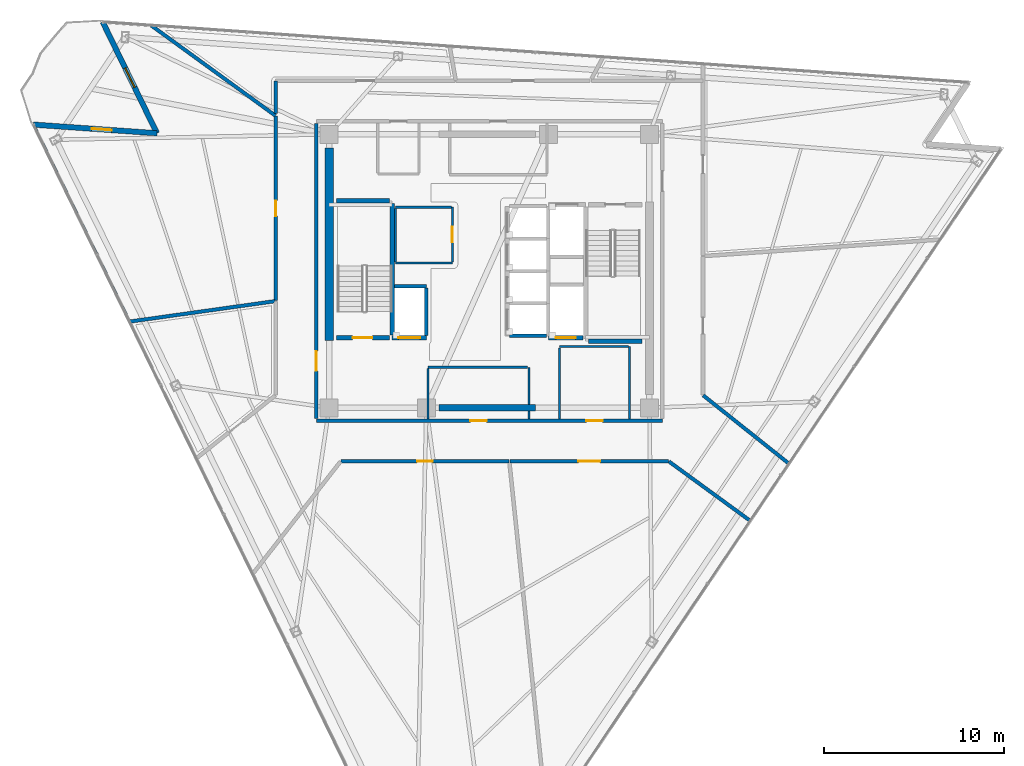
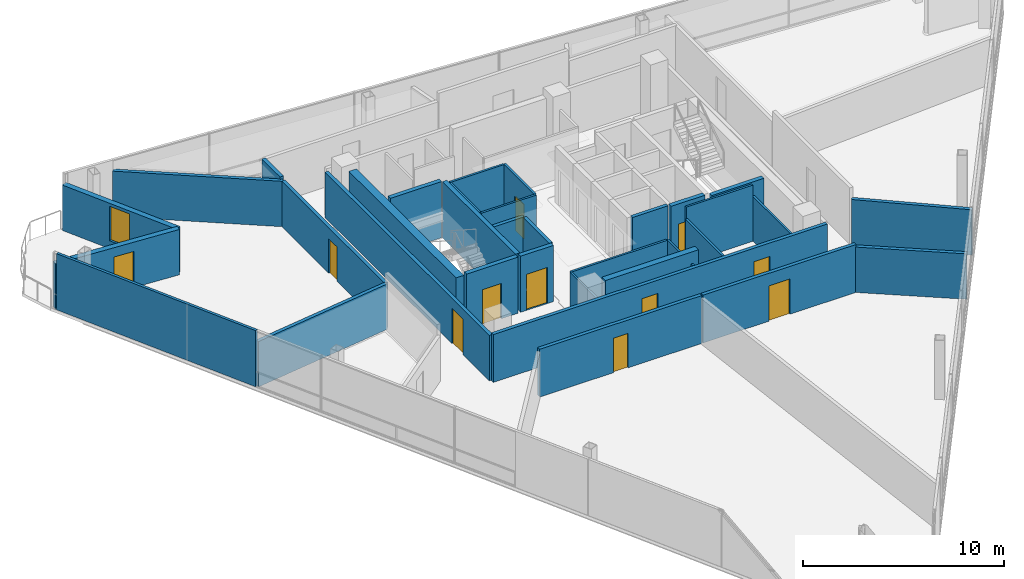
# One storey, part 9 of 14: 35 walls, 11 doors, 1 window, 12 openings.
"""IFC4 building model written with IfcOpenShell, lengths in metres."""

from ifc_helpers import new_model, si_unit, direction, frame, frame_2d, origin, place, context, subcontext, project, spatial, rectangle, extrude, material, layer, layer_set, type_object, element, fill, save


model = new_model("IFC4")

# Units and contexts
model_context = context("Model", 3, precision=1e-05, world=origin(), true_north=direction((0.0, 1.0)))
body_context = subcontext(model_context, "Body", "Model", "MODEL_VIEW")
ifc_project = project(units=[si_unit("LENGTHUNIT", "METRE"), si_unit("AREAUNIT", "SQUARE_METRE"), si_unit("VOLUMEUNIT", "CUBIC_METRE"), si_unit("PLANEANGLEUNIT", "RADIAN"), si_unit("MASSUNIT", "GRAM", prefix="KILO")], contexts=[model_context])

# Site, building, storey
site_placement = place(None, origin())
site = spatial("IfcSite", under=ifc_project, at=site_placement, CompositionType="ELEMENT")
building_placement = place(site_placement, origin())
building = spatial("IfcBuilding", under=site, at=building_placement, Name="Tharavind Bronze Gate", CompositionType="ELEMENT")
storey_placement = place(building_placement, frame((0.0, 0.0, 245.050048828125)))
storey = spatial("IfcBuildingStorey", under=building, at=storey_placement, Name="L63", CompositionType="ELEMENT", Elevation=245.050048828125)

# Wall, opening, window
ifc_material_1 = material(Name="Concrete C40/50", Category="concrete")
ifc_layer_1 = layer(ifc_material_1, 0.300048828125)
ifc_layer_set_1 = layer_set([ifc_layer_1], Name="Concrete C40/50")
wall_type_1 = type_object("IfcWallType", Name="EXTERIOR SPANDREL WALL 300", PredefinedType="STANDARD", material=ifc_layer_set_1)
wall_1_placement = place(storey_placement, frame((-21.489990234375, 13.844482421875, 0.0), z_axis=(0.0, 0.0, 1.0), x_axis=(0.438391471143, -0.898784133165, 0.0)))
wall_1 = element("IfcWall", 1, at=wall_1_placement, inside=storey, type_object=wall_type_1, Name="L63 notch cheek wall 1A", PredefinedType="STANDARD", context=body_context, shape_type="SweptSolid", body=[
    extrude(rectangle(XDim=6.8798828125, YDim=0.300048828125, at=frame_2d((3.43994140625, 0.0))), origin(), (0.0, 0.0, 1.0), 2.764892578125),
])
opening_1_placement = place(wall_1_placement, frame((2.840087890625, 0.0, 0.485107421875)))
opening_1 = element("IfcOpeningElement", 2, at=opening_1_placement, cuts=wall_1, Name="Opening W01", PredefinedType="OPENING", context=body_context, shape_type="SweptSolid", body=[
    extrude(rectangle(XDim=1.199951171875, YDim=2.10009765625, at=frame_2d((0.60009765625, 1.050048828125))), frame((0.0, 0.15990234375, 0.0), z_axis=(0.0, -1.0, 0.0), x_axis=(1.0, 0.0, 0.0)), (0.0, 0.0, 1.0), 0.320048828125),
])
ifc_material_2 = material(Name="Bronze Aluminium & Low-E Glass", Category="aluminium")
window_type = type_object("IfcWindowType", Name="FIXED BRONZE CASEMENT WINDOW 1200X2100", PartitioningType="SINGLE_PANEL", PredefinedType="WINDOW", material=ifc_material_2)
window_placement = place(opening_1_placement, origin())
window = element("IfcWindow", 3, at=window_placement, inside=storey, type_object=window_type, Name="L63 exterior window WL-L63-NCB1-01", OverallHeight=2.10009765625, OverallWidth=1.199951171875, PartitioningType="SINGLE_PANEL", PredefinedType="WINDOW", context=body_context, shape_type="SweptSolid", body=[
    extrude(rectangle(XDim=1.199951171875, YDim=2.10009765625, at=frame_2d((0.60009765625, 1.050048828125))), frame((0.0, 0.030029296875, 0.0), z_axis=(0.0, -1.0, 0.0), x_axis=(1.0, 0.0, 0.0)), (0.0, 0.0, 1.0), 0.06005859375),
])
fill(opening_1, window)

# Wall, opening, door
wall_2_placement = place(storey_placement, frame((-18.473876953125, 7.660888671875, 0.0), z_axis=(0.0, 0.0, 1.0), x_axis=(-0.997565982203, 0.069728840176, 0.0)))
wall_2 = element("IfcWall", 4, at=wall_2_placement, inside=storey, type_object=wall_type_1, Name="L63 notch cheek wall 1B", PredefinedType="STANDARD", context=body_context, shape_type="SweptSolid", body=[
    extrude(rectangle(XDim=6.880126953125, YDim=0.300048828125, at=frame_2d((3.43994140625, 0.0))), origin(), (0.0, 0.0, 1.0), 2.764892578125),
])
opening_2_placement = place(wall_2_placement, frame((2.531982421875, 0.0, 0.0)))
opening_2 = element("IfcOpeningElement", 5, at=opening_2_placement, cuts=wall_2, Name="Opening ED04", PredefinedType="OPENING", context=body_context, shape_type="SweptSolid", body=[
    extrude(rectangle(XDim=1.10009765625, YDim=2.199951171875, at=frame_2d((0.550048828125, 1.10009765625))), frame((0.0, 0.15990234375, 0.0), z_axis=(0.0, -1.0, 0.0), x_axis=(1.0, 0.0, 0.0)), (0.0, 0.0, 1.0), 0.320048828125),
])
ifc_material_3 = material(Name="Bronze Aluminium & Toughened Glass", Category="aluminium")
door_type_1 = type_object("IfcDoorType", Name="TREE BALCONY ACCESS DOOR 1100X2200", OperationType="SINGLE_SWING_LEFT", PredefinedType="DOOR", material=ifc_material_3)
door_1_placement = place(opening_2_placement, frame((1.10009765625, 0.0, 0.0), z_axis=(0.0, 0.0, 1.0), x_axis=(-1.0, 0.0, 0.0)))
door_1 = element("IfcDoor", 6, at=door_1_placement, inside=storey, type_object=door_type_1, Name="L63 tree balcony access door", OperationType="SINGLE_SWING_LEFT", OverallHeight=2.199951171875, OverallWidth=1.10009765625, PredefinedType="DOOR", context=body_context, shape_type="SweptSolid", body=[
    extrude(rectangle(XDim=1.10009765625, YDim=2.199951171875, at=frame_2d((0.550048828125, 1.10009765625))), frame((0.0, 0.02490234375, 0.0), z_axis=(0.0, -1.0, 0.0), x_axis=(1.0, 0.0, 0.0)), (0.0, 0.0, 1.0), 0.050048828125),
])
fill(opening_2, door_1)

# Wall, openings, doors
ifc_material_4 = material(Name="Aerated Concrete Block", Category="concrete")
ifc_layer_2 = layer(ifc_material_4, 0.199951171875)
ifc_layer_set_2 = layer_set([ifc_layer_2], Name="Aerated Concrete Block")
wall_type_2 = type_object("IfcWallType", Name="FIRE RATED PARTITION 200", PredefinedType="PARTITIONING", material=ifc_layer_set_2)
wall_3_placement = place(storey_placement, frame((-9.6201171875, -8.320068359375, 0.0), z_axis=(0.0, 0.0, 1.0), x_axis=(1.0, 0.0, 0.0)))
wall_3 = element("IfcWall", 7, at=wall_3_placement, inside=storey, type_object=wall_type_2, Name="L63 south core corridor wall", PredefinedType="PARTITIONING", context=body_context, shape_type="SweptSolid", body=[
    extrude(rectangle(XDim=19.240234375, YDim=0.199951171875, at=frame_2d((9.6201171875, 0.0))), origin(), (0.0, 0.0, 1.0), 2.9150390625),
])
opening_3_placement = place(wall_3_placement, frame((8.570068359375, 0.0, 0.0)))
opening_3 = element("IfcOpeningElement", 8, at=opening_3_placement, cuts=wall_3, Name="Opening ID07", PredefinedType="OPENING", context=body_context, shape_type="SweptSolid", body=[
    extrude(rectangle(XDim=0.89990234375, YDim=2.10009765625, at=frame_2d((0.449951171875, 1.050048828125))), frame((0.0, 0.11009765625, 0.0), z_axis=(0.0, -1.0, 0.0), x_axis=(1.0, 0.0, 0.0)), (0.0, 0.0, 1.0), 0.219951171875),
])
opening_4_placement = place(wall_3_placement, frame((15.02001953125, 0.0, 0.0)))
opening_4 = element("IfcOpeningElement", 9, at=opening_4_placement, cuts=wall_3, Name="Opening ID07", PredefinedType="OPENING", context=body_context, shape_type="SweptSolid", body=[
    extrude(rectangle(XDim=0.89990234375, YDim=2.10009765625, at=frame_2d((0.449951171875, 1.050048828125))), frame((0.0, 0.11009765625, 0.0), z_axis=(0.0, -1.0, 0.0), x_axis=(1.0, 0.0, 0.0)), (0.0, 0.0, 1.0), 0.219951171875),
])
ifc_material_5 = material(Name="Galvanised Fire Steel", Category="steel")
door_type_2 = type_object("IfcDoorType", Name="PLANT AND RISER FIRE DOOR 900X2100", OperationType="SINGLE_SWING_LEFT", PredefinedType="DOOR", material=ifc_material_5)
door_2_placement = place(opening_3_placement, origin())
door_2 = element("IfcDoor", 10, at=door_2_placement, inside=storey, type_object=door_type_2, Name="L63 Core BMS Control Room fire door", OperationType="SINGLE_SWING_LEFT", OverallHeight=2.10009765625, OverallWidth=0.89990234375, PredefinedType="DOOR", context=body_context, shape_type="SweptSolid", body=[
    extrude(rectangle(XDim=0.89990234375, YDim=2.10009765625, at=frame_2d((0.449951171875, 1.050048828125))), frame((0.0, 0.02490234375, 0.0), z_axis=(0.0, -1.0, 0.0), x_axis=(1.0, 0.0, 0.0)), (0.0, 0.0, 1.0), 0.050048828125),
])
fill(opening_3, door_2)
door_3_placement = place(opening_4_placement, origin())
door_3 = element("IfcDoor", 11, at=door_3_placement, inside=storey, type_object=door_type_2, Name="L63 Telecom Metering Room fire door", OperationType="SINGLE_SWING_LEFT", OverallHeight=2.10009765625, OverallWidth=0.89990234375, PredefinedType="DOOR", context=body_context, shape_type="SweptSolid", body=[
    extrude(rectangle(XDim=0.89990234375, YDim=2.10009765625, at=frame_2d((0.449951171875, 1.050048828125))), frame((0.0, 0.02490234375, 0.0), z_axis=(0.0, -1.0, 0.0), x_axis=(1.0, 0.0, 0.0)), (0.0, 0.0, 1.0), 0.050048828125),
])
fill(opening_4, door_3)

# Wall, opening, door
wall_4_placement = place(storey_placement, frame((-9.6201171875, 8.199951171875, 0.0), z_axis=(0.0, 0.0, 1.0), x_axis=(0.0, -1.0, 0.0)))
wall_4 = element("IfcWall", 12, at=wall_4_placement, inside=storey, type_object=wall_type_2, Name="L63 west core corridor wall", PredefinedType="PARTITIONING", context=body_context, shape_type="SweptSolid", body=[
    extrude(rectangle(XDim=16.39990234375, YDim=0.199951171875, at=frame_2d((8.199951171875, 0.0))), origin(), (0.0, 0.0, 1.0), 2.764892578125),
])
opening_5_placement = place(wall_4_placement, frame((12.64990234375, 0.0, 0.0)))
opening_5 = element("IfcOpeningElement", 13, at=opening_5_placement, cuts=wall_4, Name="Opening ID01", PredefinedType="OPENING", context=body_context, shape_type="SweptSolid", body=[
    extrude(rectangle(XDim=1.10009765625, YDim=2.14990234375, at=frame_2d((0.550048828125, 1.074951171875))), frame((0.0, 0.11009765625, 0.0), z_axis=(0.0, -1.0, 0.0), x_axis=(1.0, 0.0, 0.0)), (0.0, 0.0, 1.0), 0.219951171875),
])
ifc_material_6 = material(Name="Fire-Rated Steel", Category="steel")
door_type_3 = type_object("IfcDoorType", Name="STAIR CORE FIRE DOOR 1100X2150", OperationType="SINGLE_SWING_LEFT", PredefinedType="DOOR", material=ifc_material_6)
door_4_placement = place(opening_5_placement, frame((1.10009765625, 0.0, 0.0), z_axis=(0.0, 0.0, 1.0), x_axis=(-1.0, 0.0, 0.0)))
door_4 = element("IfcDoor", 14, at=door_4_placement, inside=storey, type_object=door_type_3, Name="L63 south west stair lobby fire door", OperationType="SINGLE_SWING_LEFT", OverallHeight=2.14990234375, OverallWidth=1.10009765625, PredefinedType="DOOR", context=body_context, shape_type="SweptSolid", body=[
    extrude(rectangle(XDim=1.10009765625, YDim=2.14990234375, at=frame_2d((0.550048828125, 1.074951171875))), frame((0.0, 0.02490234375, 0.0), z_axis=(0.0, -1.0, 0.0), x_axis=(1.0, 0.0, 0.0)), (0.0, 0.0, 1.0), 0.050048828125),
])
fill(opening_5, door_4)

# Wall
wall_5_placement = place(storey_placement, frame((-18.790283203125, 13.65185546875, 0.0), z_axis=(0.0, 0.0, 1.0), x_axis=(0.809024412074, -0.58777504257, 0.0)))
element("IfcWall", 15, at=wall_5_placement, inside=storey, type_object=wall_type_2, Name="L63 Public Restrooms Block partition", PredefinedType="PARTITIONING", context=body_context, shape_type="SweptSolid", body=[
    extrude(rectangle(XDim=8.528564453125, YDim=0.199951171875, at=frame_2d((4.26416015625, 0.0))), origin(), (0.0, 0.0, 1.0), 2.764892578125),
])

# Wall, opening, door
wall_6_placement = place(storey_placement, frame((-11.8798828125, 8.61865234375, 0.0), z_axis=(0.0, 0.0, 1.0), x_axis=(0.0, -1.0, 0.0)))
wall_6 = element("IfcWall", 16, at=wall_6_placement, inside=storey, type_object=wall_type_2, Name="L63 Public Restrooms Block partition", PredefinedType="PARTITIONING", context=body_context, shape_type="SweptSolid", body=[
    extrude(rectangle(XDim=10.2666015625, YDim=0.199951171875, at=frame_2d((5.13330078125, 0.0))), origin(), (0.0, 0.0, 1.0), 2.764892578125),
])
opening_6_placement = place(wall_6_placement, frame((4.7080078125, 0.0, 0.0)))
opening_6 = element("IfcOpeningElement", 17, at=opening_6_placement, cuts=wall_6, Name="Opening ID06", PredefinedType="OPENING", context=body_context, shape_type="SweptSolid", body=[
    extrude(rectangle(XDim=0.85009765625, YDim=2.10009765625, at=frame_2d((0.425048828125, 1.050048828125))), frame((0.0, 0.11009765625, 0.0), z_axis=(0.0, -1.0, 0.0), x_axis=(1.0, 0.0, 0.0)), (0.0, 0.0, 1.0), 0.219951171875),
])
ifc_material_7 = material(Name="Moisture-Resistant Timber", Category="wood")
door_type_4 = type_object("IfcDoorType", Name="BATHROOM PRIVACY DOOR 850X2100", OperationType="SINGLE_SWING_RIGHT", PredefinedType="DOOR", material=ifc_material_7)
door_5_placement = place(opening_6_placement, origin())
door_5 = element("IfcDoor", 18, at=door_5_placement, inside=storey, type_object=door_type_4, Name="L63 Public Restrooms Block door", OperationType="SINGLE_SWING_RIGHT", OverallHeight=2.10009765625, OverallWidth=0.85009765625, PredefinedType="DOOR", context=body_context, shape_type="SweptSolid", body=[
    extrude(rectangle(XDim=0.85009765625, YDim=2.10009765625, at=frame_2d((0.425048828125, 1.050048828125))), frame((0.0, 0.02490234375, 0.0), z_axis=(0.0, -1.0, 0.0), x_axis=(1.0, 0.0, 0.0)), (0.0, 0.0, 1.0), 0.050048828125),
])
fill(opening_6, door_5)

# Wall
wall_7_placement = place(storey_placement, frame((-11.901611328125, -1.672607421875, 0.0), z_axis=(0.0, 0.0, 1.0), x_axis=(-0.990269023178, -0.139166309626, 0.0)))
element("IfcWall", 19, at=wall_7_placement, inside=storey, type_object=wall_type_2, Name="L63 Public Restrooms Block partition", PredefinedType="PARTITIONING", context=body_context, shape_type="SweptSolid", body=[
    extrude(rectangle(XDim=8.15576171875, YDim=0.199951171875, at=frame_2d((4.077880859375, 0.0))), origin(), (0.0, 0.0, 1.0), 2.764892578125),
])

# Wall, opening, door
wall_8_placement = place(storey_placement, frame((-8.25390625, -10.580078125, 0.0), z_axis=(0.0, 0.0, 1.0), x_axis=(1.0, 0.0, 0.0)))
wall_8 = element("IfcWall", 20, at=wall_8_placement, inside=storey, type_object=wall_type_2, Name="L63 Public Restrooms Block partition", PredefinedType="PARTITIONING", context=body_context, shape_type="SweptSolid", body=[
    extrude(rectangle(XDim=9.343505859375, YDim=0.199951171875, at=frame_2d((4.671875, 0.0))), origin(), (0.0, 0.0, 1.0), 2.9150390625),
])
opening_7_placement = place(wall_8_placement, frame((4.2470703125, 0.0, 0.0)))
opening_7 = element("IfcOpeningElement", 21, at=opening_7_placement, cuts=wall_8, Name="Opening ID06", PredefinedType="OPENING", context=body_context, shape_type="SweptSolid", body=[
    extrude(rectangle(XDim=0.85009765625, YDim=2.10009765625, at=frame_2d((0.425048828125, 1.050048828125))), frame((0.0, 0.11009765625, 0.0), z_axis=(0.0, -1.0, 0.0), x_axis=(1.0, 0.0, 0.0)), (0.0, 0.0, 1.0), 0.219951171875),
])
door_6_placement = place(opening_7_placement, origin())
door_6 = element("IfcDoor", 22, at=door_6_placement, inside=storey, type_object=door_type_4, Name="L63 Public Restrooms Block door", OperationType="SINGLE_SWING_RIGHT", OverallHeight=2.10009765625, OverallWidth=0.85009765625, PredefinedType="DOOR", context=body_context, shape_type="SweptSolid", body=[
    extrude(rectangle(XDim=0.85009765625, YDim=2.10009765625, at=frame_2d((0.425048828125, 1.050048828125))), frame((0.0, 0.02490234375, 0.0), z_axis=(0.0, -1.0, 0.0), x_axis=(1.0, 0.0, 0.0)), (0.0, 0.0, 1.0), 0.050048828125),
])
fill(opening_7, door_6)

# Wall
wall_9_placement = place(storey_placement, frame((-11.8798828125, 10.579345703125, 0.0), z_axis=(0.0, 0.0, 1.0), x_axis=(0.0, -1.0, 0.0)))
element("IfcWall", 23, at=wall_9_placement, inside=storey, type_object=wall_type_2, Name="L63 Macro Research Office partition", PredefinedType="PARTITIONING", context=body_context, shape_type="SweptSolid", body=[
    extrude(rectangle(XDim=1.818359375, YDim=0.199951171875, at=frame_2d((0.9091796875, 0.0))), origin(), (0.0, 0.0, 1.0), 2.9150390625),
])

# Wall, opening, door
wall_10_placement = place(storey_placement, frame((1.139892578125, -10.580078125, 0.0), z_axis=(0.0, 0.0, 1.0), x_axis=(1.0, 0.0, 0.0)))
wall_10 = element("IfcWall", 24, at=wall_10_placement, inside=storey, type_object=wall_type_2, Name="L63 Visitor Reception Lounge partition", PredefinedType="PARTITIONING", context=body_context, shape_type="SweptSolid", body=[
    extrude(rectangle(XDim=8.830078125, YDim=0.199951171875, at=frame_2d((4.4150390625, 0.0))), origin(), (0.0, 0.0, 1.0), 2.9150390625),
])
opening_8_placement = place(wall_10_placement, frame((3.81494140625, 0.0, 0.0)))
opening_8 = element("IfcOpeningElement", 25, at=opening_8_placement, cuts=wall_10, Name="Opening ID05", PredefinedType="OPENING", context=body_context, shape_type="SweptSolid", body=[
    extrude(rectangle(XDim=1.199951171875, YDim=2.14990234375, at=frame_2d((0.60009765625, 1.074951171875))), frame((0.0, 0.11009765625, 0.0), z_axis=(0.0, -1.0, 0.0), x_axis=(1.0, 0.0, 0.0)), (0.0, 0.0, 1.0), 0.219951171875),
])
ifc_material_8 = material(Name="Acoustic Laminated Glass", Category="glass")
door_type_5 = type_object("IfcDoorType", Name="MEETING ROOM GLAZED DOOR 1200X2150", OperationType="SINGLE_SWING_LEFT", PredefinedType="DOOR", material=ifc_material_8)
door_7_placement = place(opening_8_placement, origin())
door_7 = element("IfcDoor", 26, at=door_7_placement, inside=storey, type_object=door_type_5, Name="L63 Visitor Reception Lounge door", OperationType="SINGLE_SWING_LEFT", OverallHeight=2.14990234375, OverallWidth=1.199951171875, PredefinedType="DOOR", context=body_context, shape_type="SweptSolid", body=[
    extrude(rectangle(XDim=1.199951171875, YDim=2.14990234375, at=frame_2d((0.60009765625, 1.074951171875))), frame((0.0, 0.02490234375, 0.0), z_axis=(0.0, -1.0, 0.0), x_axis=(1.0, 0.0, 0.0)), (0.0, 0.0, 1.0), 0.050048828125),
])
fill(opening_8, door_7)

# Walls
wall_11_placement = place(storey_placement, frame((9.98486328125, -10.584716796875, 0.0), z_axis=(0.0, 0.0, 1.0), x_axis=(0.807826909807, -0.589419785714, 0.0)))
element("IfcWall", 27, at=wall_11_placement, inside=storey, type_object=wall_type_2, Name="L63 Visitor Reception Lounge partition", PredefinedType="PARTITIONING", context=body_context, shape_type="SweptSolid", body=[
    extrude(rectangle(XDim=5.59130859375, YDim=0.199951171875, at=frame_2d((2.795654296875, 0.0))), origin(), (0.0, 0.0, 1.0), 2.764892578125),
])
wall_12_placement = place(storey_placement, frame((16.647705078125, -10.698486328125, 0.0), z_axis=(0.0, 0.0, 1.0), x_axis=(-0.782393880824, 0.622783923402, 0.0)))
element("IfcWall", 28, at=wall_12_placement, inside=storey, type_object=wall_type_2, Name="L63 Tea Pantry partition", PredefinedType="PARTITIONING", context=body_context, shape_type="SweptSolid", body=[
    extrude(rectangle(XDim=6.081787109375, YDim=0.199951171875, at=frame_2d((3.041015625, 0.0))), origin(), (0.0, 0.0, 1.0), 2.764892578125),
])
ifc_material_9 = material(Name="Metal Stud Gypsum Partition", Category="gypsum")
ifc_layer_3 = layer(ifc_material_9, 0.1201171875)
ifc_layer_set_3 = layer_set([ifc_layer_3], Name="Metal Stud Gypsum Partition")
wall_type_3 = type_object("IfcWallType", Name="INTERIOR PARTITION WALL 120", PredefinedType="PARTITIONING", material=ifc_layer_set_3)
wall_13_placement = place(storey_placement, frame((-5.219970703125, 0.449951171875, 0.0), z_axis=(0.0, 0.0, 1.0), x_axis=(1.0, 0.0, 0.0)))
element("IfcWall", 29, at=wall_13_placement, inside=storey, type_object=wall_type_3, Name="L63 Electrical & Telecom Store partition 1", PredefinedType="PARTITIONING", context=body_context, shape_type="SweptSolid", body=[
    extrude(rectangle(XDim=3.169921875, YDim=0.1201171875, at=frame_2d((1.5849609375, 0.0))), origin(), (0.0, 0.0, 1.0), 3.419921875),
])

# Wall, opening, door
wall_14_placement = place(storey_placement, frame((-2.050048828125, 0.514892578125, 0.0), z_axis=(0.0, 0.0, 1.0), x_axis=(0.0, 1.0, 0.0)))
wall_14 = element("IfcWall", 30, at=wall_14_placement, inside=storey, type_object=wall_type_3, Name="L63 Electrical & Telecom Store partition 2", PredefinedType="PARTITIONING", context=body_context, shape_type="SweptSolid", body=[
    extrude(rectangle(XDim=3.03515625, YDim=0.1201171875, at=frame_2d((1.517578125, 0.0))), origin(), (0.0, 0.0, 1.0), 3.419921875),
])
opening_9_placement = place(wall_14_placement, frame((1.092041015625, 0.0, 0.0)))
opening_9 = element("IfcOpeningElement", 31, at=opening_9_placement, cuts=wall_14, Name="Opening ID06", PredefinedType="OPENING", context=body_context, shape_type="SweptSolid", body=[
    extrude(rectangle(XDim=0.85009765625, YDim=2.10009765625, at=frame_2d((0.425048828125, 1.050048828125))), frame((0.0, 0.07005859375, 0.0), z_axis=(0.0, -1.0, 0.0), x_axis=(1.0, 0.0, 0.0)), (0.0, 0.0, 1.0), 0.1401171875),
])
door_8_placement = place(opening_9_placement, frame((0.85009765625, 0.0, 0.0), z_axis=(0.0, 0.0, 1.0), x_axis=(-1.0, 0.0, 0.0)))
door_8 = element("IfcDoor", 32, at=door_8_placement, inside=storey, type_object=door_type_4, Name="L63 Electrical & Telecom Store door", OperationType="SINGLE_SWING_RIGHT", OverallHeight=2.10009765625, OverallWidth=0.85009765625, PredefinedType="DOOR", context=body_context, shape_type="SweptSolid", body=[
    extrude(rectangle(XDim=0.85009765625, YDim=2.10009765625, at=frame_2d((0.425048828125, 1.050048828125))), frame((0.0, 0.02490234375, 0.0), z_axis=(0.0, -1.0, 0.0), x_axis=(1.0, 0.0, 0.0)), (0.0, 0.0, 1.0), 0.050048828125),
])
fill(opening_9, door_8)

# Walls
wall_15_placement = place(storey_placement, frame((-2.114990234375, 3.550048828125, 0.0), z_axis=(0.0, 0.0, 1.0), x_axis=(-1.0, 0.0, 0.0)))
element("IfcWall", 33, at=wall_15_placement, inside=storey, type_object=wall_type_3, Name="L63 Electrical & Telecom Store partition 3", PredefinedType="PARTITIONING", context=body_context, shape_type="SweptSolid", body=[
    extrude(rectangle(XDim=3.10498046875, YDim=0.1201171875, at=frame_2d((1.552490234375, 0.0))), origin(), (0.0, 0.0, 1.0), 3.419921875),
])
wall_16_placement = place(storey_placement, frame((-5.219970703125, 3.485107421875, 0.0), z_axis=(0.0, 0.0, 1.0), x_axis=(0.0, -1.0, 0.0)))
element("IfcWall", 34, at=wall_16_placement, inside=storey, type_object=wall_type_3, Name="L63 Electrical & Telecom Store partition 4", PredefinedType="PARTITIONING", context=body_context, shape_type="SweptSolid", body=[
    extrude(rectangle(XDim=2.97021484375, YDim=0.1201171875, at=frame_2d((1.485107421875, 0.0))), origin(), (0.0, 0.0, 1.0), 3.419921875),
])
wall_17_placement = place(storey_placement, frame((2.199951171875, -8.215087890625, 0.0), z_axis=(0.0, 0.0, 1.0), x_axis=(0.0, 1.0, 0.0)))
element("IfcWall", 35, at=wall_17_placement, inside=storey, type_object=wall_type_3, Name="L63 Core BMS Control Room partition 2", PredefinedType="PARTITIONING", context=body_context, shape_type="SweptSolid", body=[
    extrude(rectangle(XDim=0.43505859375, YDim=0.1201171875, at=frame_2d((0.217529296875, 0.0))), origin(), (0.0, 0.0, 1.0), 2.71484375),
])
wall_18_placement = place(storey_placement, frame((2.199951171875, -7.419921875, 0.0), z_axis=(0.0, 0.0, 1.0), x_axis=(0.0, 1.0, 0.0)))
element("IfcWall", 36, at=wall_18_placement, inside=storey, type_object=wall_type_3, Name="L63 Core BMS Control Room partition 2", PredefinedType="PARTITIONING", context=body_context, shape_type="SweptSolid", body=[
    extrude(rectangle(XDim=2.06982421875, YDim=0.1201171875, at=frame_2d((1.034912109375, 0.0))), origin(), (0.0, 0.0, 1.0), 2.71484375),
])
wall_19_placement = place(storey_placement, frame((2.135009765625, -5.35009765625, 0.0), z_axis=(0.0, 0.0, 1.0), x_axis=(-1.0, 0.0, 0.0)))
element("IfcWall", 37, at=wall_19_placement, inside=storey, type_object=wall_type_3, Name="L63 Core BMS Control Room partition 3", PredefinedType="PARTITIONING", context=body_context, shape_type="SweptSolid", body=[
    extrude(rectangle(XDim=5.534912109375, YDim=0.1201171875, at=frame_2d((2.767578125, 0.0))), origin(), (0.0, 0.0, 1.0), 2.71484375),
])
wall_20_placement = place(storey_placement, frame((-3.39990234375, -5.4150390625, 0.0), z_axis=(0.0, 0.0, 1.0), x_axis=(0.0, -1.0, 0.0)))
element("IfcWall", 38, at=wall_20_placement, inside=storey, type_object=wall_type_3, Name="L63 Core BMS Control Room partition 4", PredefinedType="PARTITIONING", context=body_context, shape_type="SweptSolid", body=[
    extrude(rectangle(XDim=2.800048828125, YDim=0.1201171875, at=frame_2d((1.39990234375, 0.0))), origin(), (0.0, 0.0, 1.0), 2.71484375),
])
wall_21_placement = place(storey_placement, frame((7.800048828125, -8.215087890625, 0.0), z_axis=(0.0, 0.0, 1.0), x_axis=(0.0, 1.0, 0.0)))
element("IfcWall", 39, at=wall_21_placement, inside=storey, type_object=wall_type_3, Name="L63 Telecom Metering Room partition 2", PredefinedType="PARTITIONING", context=body_context, shape_type="SweptSolid", body=[
    extrude(rectangle(XDim=4.01513671875, YDim=0.1201171875, at=frame_2d((2.007568359375, 0.0))), origin(), (0.0, 0.0, 1.0), 2.71484375),
])
wall_22_placement = place(storey_placement, frame((7.735107421875, -4.199951171875, 0.0), z_axis=(0.0, 0.0, 1.0), x_axis=(-1.0, 0.0, 0.0)))
element("IfcWall", 40, at=wall_22_placement, inside=storey, type_object=wall_type_3, Name="L63 Telecom Metering Room partition 3", PredefinedType="PARTITIONING", context=body_context, shape_type="SweptSolid", body=[
    extrude(rectangle(XDim=3.835205078125, YDim=0.1201171875, at=frame_2d((1.91748046875, 0.0))), origin(), (0.0, 0.0, 1.0), 3.419921875),
])
wall_23_placement = place(storey_placement, frame((3.89990234375, -4.264892578125, 0.0), z_axis=(0.0, 0.0, 1.0), x_axis=(0.0, -1.0, 0.0)))
element("IfcWall", 41, at=wall_23_placement, inside=storey, type_object=wall_type_3, Name="L63 Telecom Metering Room partition 4", PredefinedType="PARTITIONING", context=body_context, shape_type="SweptSolid", body=[
    extrude(rectangle(XDim=3.9501953125, YDim=0.1201171875, at=frame_2d((1.97509765625, 0.0))), origin(), (0.0, 0.0, 1.0), 2.71484375),
])
ifc_material_10 = material(Name="Twin Stud Acoustic Gypsum", Category="gypsum")
ifc_layer_4 = layer(ifc_material_10, 0.14990234375)
ifc_layer_set_4 = layer_set([ifc_layer_4], Name="Twin Stud Acoustic Gypsum")
wall_type_4 = type_object("IfcWallType", Name="INTERIOR PARTITION WALL 150", PredefinedType="PARTITIONING", material=ifc_layer_set_4)
wall_24_placement = place(storey_placement, frame((-20.00390625, -2.7939453125, 0.0), z_axis=(0.0, 0.0, 1.0), x_axis=(-0.438368655721, 0.89879526127, 0.0)))
element("IfcWall", 42, at=wall_24_placement, inside=storey, type_object=wall_type_4, Name="L63 Public Restrooms Block partition", PredefinedType="PARTITIONING", context=body_context, shape_type="SweptSolid", body=[
    extrude(rectangle(XDim=11.98681640625, YDim=0.14990234375, at=frame_2d((5.993408203125, 0.0))), origin(), (0.0, 0.0, 1.0), 3.419921875),
])
ifc_material_11 = material(Name="Concrete C50/60", Category="concrete")
ifc_layer_5 = layer(ifc_material_11, 0.25)
ifc_layer_set_5 = layer_set([ifc_layer_5], Name="Concrete C50/60")
wall_type_5 = type_object("IfcWallType", Name="RC CORE SHEAR WALL 250", PredefinedType="SHEAR", material=ifc_layer_set_5)
wall_25_placement = place(storey_placement, frame((-5.39990234375, -3.550048828125, 0.0), z_axis=(0.0, 0.0, 1.0), x_axis=(0.0, 1.0, 0.0)))
element("IfcWall", 43, at=wall_25_placement, inside=storey, type_object=wall_type_5, Name="L63 ST1 shaft east wall", PredefinedType="SHEAR", context=body_context, shape_type="SweptSolid", body=[
    extrude(rectangle(XDim=7.300048828125, YDim=0.25, at=frame_2d((3.64990234375, 0.0))), origin(), (0.0, 0.0, 1.0), 3.419921875),
])

# Wall, opening, door
wall_26_placement = place(storey_placement, frame((-8.5, -3.699951171875, 0.0), z_axis=(0.0, 0.0, 1.0), x_axis=(1.0, 0.0, 0.0)))
wall_26 = element("IfcWall", 44, at=wall_26_placement, inside=storey, type_object=wall_type_5, Name="L63 ST1 shaft south wall", PredefinedType="SHEAR", context=body_context, shape_type="SweptSolid", body=[
    extrude(rectangle(XDim=2.949951171875, YDim=0.25, at=frame_2d((1.47509765625, 0.0))), origin(), (0.0, 0.0, 1.0), 3.419921875),
])
opening_10_placement = place(wall_26_placement, frame((0.89990234375, 0.0, 0.0)))
opening_10 = element("IfcOpeningElement", 45, at=opening_10_placement, cuts=wall_26, Name="Opening ID01", PredefinedType="OPENING", context=body_context, shape_type="SweptSolid", body=[
    extrude(rectangle(XDim=1.10009765625, YDim=2.14990234375, at=frame_2d((0.550048828125, 1.074951171875))), frame((0.0, 0.135, 0.0), z_axis=(0.0, -1.0, 0.0), x_axis=(1.0, 0.0, 0.0)), (0.0, 0.0, 1.0), 0.27),
])
door_9_placement = place(opening_10_placement, origin())
door_9 = element("IfcDoor", 46, at=door_9_placement, inside=storey, type_object=door_type_3, Name="L63 exit stair ST1 fire door", OperationType="SINGLE_SWING_LEFT", OverallHeight=2.14990234375, OverallWidth=1.10009765625, PredefinedType="DOOR", context=body_context, shape_type="SweptSolid", body=[
    extrude(rectangle(XDim=1.10009765625, YDim=2.14990234375, at=frame_2d((0.550048828125, 1.074951171875))), frame((0.0, 0.02490234375, 0.0), z_axis=(0.0, -1.0, 0.0), x_axis=(1.0, 0.0, 0.0)), (0.0, 0.0, 1.0), 0.050048828125),
])
fill(opening_10, door_9)

# Walls
wall_27_placement = place(storey_placement, frame((-8.5, 3.89990234375, 0.0), z_axis=(0.0, 0.0, 1.0), x_axis=(1.0, 0.0, 0.0)))
element("IfcWall", 47, at=wall_27_placement, inside=storey, type_object=wall_type_5, Name="L63 ST1 shaft north wall", PredefinedType="SHEAR", context=body_context, shape_type="SweptSolid", body=[
    extrude(rectangle(XDim=2.949951171875, YDim=0.25, at=frame_2d((1.47509765625, 0.0))), origin(), (0.0, 0.0, 1.0), 3.419921875),
])
wall_28_placement = place(storey_placement, frame((5.5, -3.89990234375, 0.0), z_axis=(0.0, 0.0, 1.0), x_axis=(1.0, 0.0, 0.0)))
element("IfcWall", 48, at=wall_28_placement, inside=storey, type_object=wall_type_5, Name="L63 ST2 shaft south wall", PredefinedType="SHEAR", context=body_context, shape_type="SweptSolid", body=[
    extrude(rectangle(XDim=3.0, YDim=0.25, at=frame_2d((1.5, 0.0))), origin(), (0.0, 0.0, 1.0), 3.419921875),
])

# Wall, opening, door
wall_29_placement = place(storey_placement, frame((-5.39990234375, -3.699951171875, 0.0), z_axis=(0.0, 0.0, 1.0), x_axis=(1.0, 0.0, 0.0)))
wall_29 = element("IfcWall", 49, at=wall_29_placement, inside=storey, type_object=wall_type_5, Name="L63 lift FFL1 shaft front wall", PredefinedType="SHEAR", context=body_context, shape_type="SweptSolid", body=[
    extrude(rectangle(XDim=1.89990234375, YDim=0.25, at=frame_2d((0.949951171875, 0.0))), origin(), (0.0, 0.0, 1.0), 3.419921875),
])
opening_11_placement = place(wall_29_placement, frame((0.35009765625, 0.0, 0.0)))
opening_11 = element("IfcOpeningElement", 50, at=opening_11_placement, cuts=wall_29, Name="Opening LD02", PredefinedType="OPENING", context=body_context, shape_type="SweptSolid", body=[
    extrude(rectangle(XDim=1.199951171875, YDim=2.199951171875, at=frame_2d((0.60009765625, 1.10009765625))), frame((0.0, 0.135, 0.0), z_axis=(0.0, -1.0, 0.0), x_axis=(1.0, 0.0, 0.0)), (0.0, 0.0, 1.0), 0.27),
])
ifc_material_12 = material(Name="Brushed Stainless Steel", Category="steel")
door_type_6 = type_object("IfcDoorType", Name="FIREFIGHTING LIFT LANDING DOOR 1200X2200", OperationType="SLIDING_TO_RIGHT", PredefinedType="DOOR", material=ifc_material_12)
door_10_placement = place(opening_11_placement, origin())
door_10 = element("IfcDoor", 51, at=door_10_placement, inside=storey, type_object=door_type_6, Name="L63 lift FFL1 sliding landing door", OperationType="SLIDING_TO_RIGHT", OverallHeight=2.199951171875, OverallWidth=1.199951171875, PredefinedType="DOOR", context=body_context, shape_type="SweptSolid", body=[
    extrude(rectangle(XDim=1.199951171875, YDim=2.199951171875, at=frame_2d((0.60009765625, 1.10009765625))), frame((0.0, 0.02490234375, 0.0), z_axis=(0.0, -1.0, 0.0), x_axis=(1.0, 0.0, 0.0)), (0.0, 0.0, 1.0), 0.050048828125),
])
fill(opening_11, door_10)

wall_30_placement = place(storey_placement, frame((3.280029296875, -3.699951171875, 0.0), z_axis=(0.0, 0.0, 1.0), x_axis=(1.0, 0.0, 0.0)))
wall_30 = element("IfcWall", 52, at=wall_30_placement, inside=storey, type_object=wall_type_5, Name="L63 lift SVL1 shaft front wall", PredefinedType="SHEAR", context=body_context, shape_type="SweptSolid", body=[
    extrude(rectangle(XDim=1.93994140625, YDim=0.25, at=frame_2d((0.969970703125, 0.0))), origin(), (0.0, 0.0, 1.0), 3.419921875),
])
opening_12_placement = place(wall_30_placement, frame((0.419921875, 0.0, 0.0)))
opening_12 = element("IfcOpeningElement", 53, at=opening_12_placement, cuts=wall_30, Name="Opening LD01", PredefinedType="OPENING", context=body_context, shape_type="SweptSolid", body=[
    extrude(rectangle(XDim=1.10009765625, YDim=2.199951171875, at=frame_2d((0.550048828125, 1.10009765625))), frame((0.0, 0.135, 0.0), z_axis=(0.0, -1.0, 0.0), x_axis=(1.0, 0.0, 0.0)), (0.0, 0.0, 1.0), 0.27),
])
ifc_material_13 = material(Name="Brushed Bronze Stainless Steel", Category="steel")
door_type_7 = type_object("IfcDoorType", Name="LIFT LANDING SLIDING DOOR 1100X2200", OperationType="SLIDING_TO_LEFT", PredefinedType="DOOR", material=ifc_material_13)
door_11_placement = place(opening_12_placement, origin())
door_11 = element("IfcDoor", 54, at=door_11_placement, inside=storey, type_object=door_type_7, Name="L63 lift SVL1 sliding landing door", OperationType="SLIDING_TO_LEFT", OverallHeight=2.199951171875, OverallWidth=1.10009765625, PredefinedType="DOOR", context=body_context, shape_type="SweptSolid", body=[
    extrude(rectangle(XDim=1.10009765625, YDim=2.199951171875, at=frame_2d((0.550048828125, 1.10009765625))), frame((0.0, 0.02490234375, 0.0), z_axis=(0.0, -1.0, 0.0), x_axis=(1.0, 0.0, 0.0)), (0.0, 0.0, 1.0), 0.050048828125),
])
fill(opening_12, door_11)

# Walls
ifc_layer_6 = layer(ifc_material_11, 0.35009765625)
ifc_layer_set_6 = layer_set([ifc_layer_6], Name="Concrete C50/60")
wall_type_6 = type_object("IfcWallType", Name="RC CORE SHEAR WALL 350", PredefinedType="SHEAR", material=ifc_layer_set_6)
wall_31_placement = place(storey_placement, frame((-2.800048828125, -7.60009765625, 0.0), z_axis=(0.0, 0.0, 1.0), x_axis=(1.0, 0.0, 0.0)))
element("IfcWall", 55, at=wall_31_placement, inside=storey, type_object=wall_type_6, Name="L63 south core shear wall", PredefinedType="SHEAR", context=body_context, shape_type="SweptSolid", body=[
    extrude(rectangle(XDim=5.380126953125, YDim=0.35009765625, at=frame_2d((2.68994140625, 0.0))), origin(), (0.0, 0.0, 1.0), 3.419921875),
])
ifc_material_14 = material(Name="Concrete C60/75", Category="concrete")
ifc_layer_7 = layer(ifc_material_14, 0.449951171875)
ifc_layer_set_7 = layer_set([ifc_layer_7], Name="Concrete C60/75")
wall_type_7 = type_object("IfcWallType", Name="RC CORE SHEAR WALL 450", PredefinedType="SHEAR", material=ifc_layer_set_7)
wall_32_placement = place(storey_placement, frame((-8.89990234375, -3.85009765625, 0.0), z_axis=(0.0, 0.0, 1.0), x_axis=(0.0, 1.0, 0.0)))
element("IfcWall", 56, at=wall_32_placement, inside=storey, type_object=wall_type_7, Name="L63 west core shear wall", PredefinedType="SHEAR", context=body_context, shape_type="SweptSolid", body=[
    extrude(rectangle(XDim=10.7001953125, YDim=0.449951171875, at=frame_2d((5.35009765625, 0.0))), origin(), (0.0, 0.0, 1.0), 3.419921875),
])
ifc_layer_8 = layer(ifc_material_1, 0.199951171875)
ifc_layer_set_8 = layer_set([ifc_layer_8], Name="Concrete C40/50")
wall_type_8 = type_object("IfcWallType", Name="SHAFT ENCLOSURE WALL 200", PredefinedType="PARTITIONING", material=ifc_layer_set_8)
wall_33_placement = place(storey_placement, frame((1.1298828125, -3.60009765625, 0.0), z_axis=(0.0, 0.0, 1.0), x_axis=(1.0, 0.0, 0.0)))
element("IfcWall", 57, at=wall_33_placement, inside=storey, type_object=wall_type_8, Name="L63 lift PL9 shaft S enclosure wall", PredefinedType="PARTITIONING", context=body_context, shape_type="SweptSolid", body=[
    extrude(rectangle(XDim=2.045166015625, YDim=0.199951171875, at=frame_2d((1.0224609375, 0.0))), origin(), (0.0, 0.0, 1.0), 3.419921875),
])
wall_34_placement = place(storey_placement, frame((-5.27001953125, -0.85009765625, 0.0), z_axis=(0.0, 0.0, 1.0), x_axis=(1.0, 0.0, 0.0)))
element("IfcWall", 58, at=wall_34_placement, inside=storey, type_object=wall_type_8, Name="L63 lift FFL1 shaft N enclosure wall", PredefinedType="PARTITIONING", context=body_context, shape_type="SweptSolid", body=[
    extrude(rectangle(XDim=1.77001953125, YDim=0.199951171875, at=frame_2d((0.885009765625, 0.0))), origin(), (0.0, 0.0, 1.0), 3.419921875),
])
wall_35_placement = place(storey_placement, frame((-3.5, -3.570068359375, 0.0), z_axis=(0.0, 0.0, 1.0), x_axis=(0.0, 1.0, 0.0)))
element("IfcWall", 59, at=wall_35_placement, inside=storey, type_object=wall_type_8, Name="L63 lift FFL1 shaft E enclosure wall", PredefinedType="PARTITIONING", context=body_context, shape_type="SweptSolid", body=[
    extrude(rectangle(XDim=2.614990234375, YDim=0.199951171875, at=frame_2d((1.3076171875, 0.0))), origin(), (0.0, 0.0, 1.0), 3.419921875),
])

save(model, "model.ifc")
